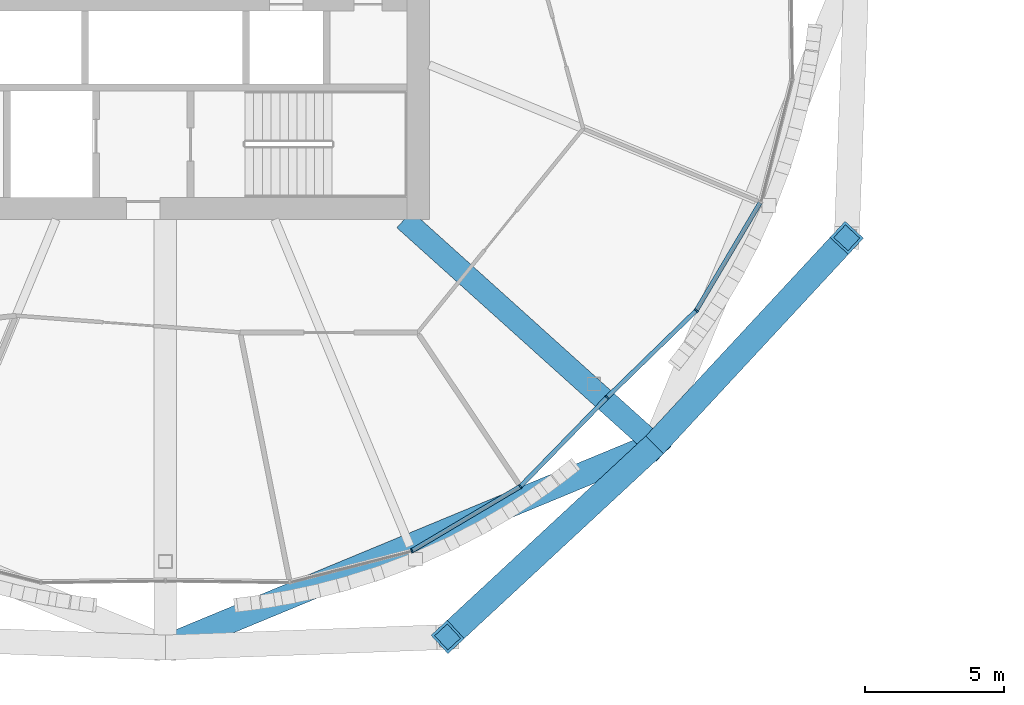
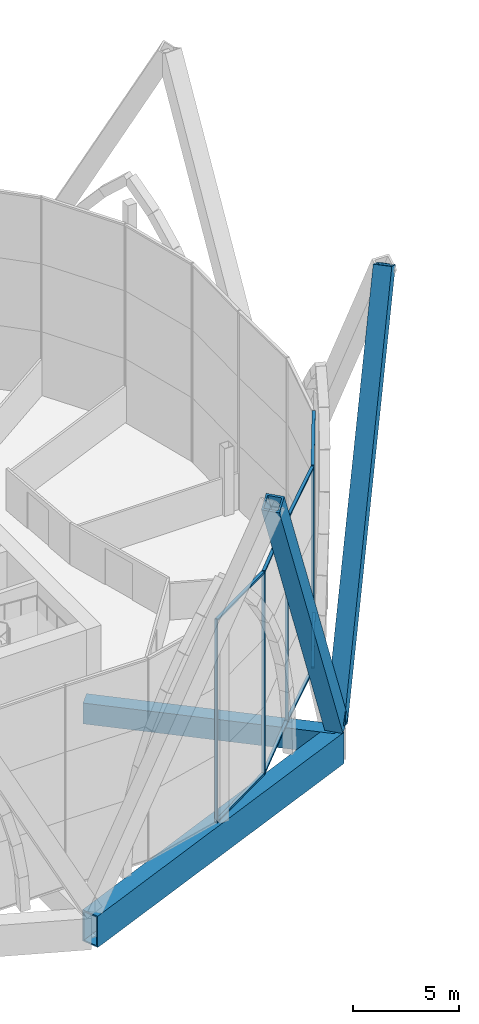
# One storey, part 7 of 37: 14 members, 2 beams, 2 elements without a shape of their own.
"""IFC4 building model written with IfcOpenShell, lengths in metres."""

from ifc_helpers import new_model, si_unit, direction, frame, origin, origin_2d, place, context, subcontext, project, spatial, rectangle, hollow_rectangle, extrude, material, material_profile, profile_set, type_object, element, aggregate, save


model = new_model("IFC4")

# Units and contexts
model_context = context("Model", 3, precision=1e-05, world=origin(), true_north=direction((0.0, 1.0)))
body_context = subcontext(model_context, "Body", "Model", "MODEL_VIEW")
ifc_project = project(units=[si_unit("LENGTHUNIT", "METRE"), si_unit("AREAUNIT", "SQUARE_METRE"), si_unit("VOLUMEUNIT", "CUBIC_METRE"), si_unit("PLANEANGLEUNIT", "RADIAN"), si_unit("MASSUNIT", "GRAM", prefix="KILO")], contexts=[model_context])

# Site, building, storey
site_placement = place(None, origin())
site = spatial("IfcSite", under=ifc_project, at=site_placement, CompositionType="ELEMENT")
building_placement = place(site_placement, origin())
building = spatial("IfcBuilding", under=site, at=building_placement, Name="Ogive Gate Towers", CompositionType="ELEMENT")
storey_placement = place(building_placement, frame((0.0, 0.0, 32.39990234375)))
storey = spatial("IfcBuildingStorey", under=building, at=storey_placement, Name="L06", CompositionType="ELEMENT", Elevation=32.39990234375)

# Members
ifc_material_1 = material(Name="Steel SM460", Category="steel")
ifc_material_profile_1 = material_profile(ifc_material_1, hollow_rectangle(XDim=0.89990234375, YDim=0.89990234375, WallThickness=0.10009765625, at=origin_2d()), Name="BX 900x900x100")
ifc_profile_set_1 = profile_set([ifc_material_profile_1], Name="Steel SM460")
member_type_1 = type_object("IfcMemberType", Name="Diagrid diagonal BX 900x900x100", PredefinedType="BRACE", material=ifc_profile_set_1)
for number, where, z_axis, x_axis, name in (
    (1, (-18.385986328125, -17.614013671875, 0.0), (-0.338942066201, -0.31444089886, 0.886704684144), (0.68011301839, -0.733107278791, 0.0), "T1/L06/SDG015"),
    (2, (-18.385986328125, -17.614013671875, 0.0), (0.31444089886, 0.338942066201, 0.886704684144), (-0.733107278791, 0.68011301839, 0.0), "T1/L06/SDG016"),
):
    element("IfcMember", number, at=place(storey_placement, frame(where, z_axis=z_axis, x_axis=x_axis)), inside=storey, type_object=member_type_1, Name=name, PredefinedType="BRACE", context=body_context, shape_type="SweptSolid", body=[
        extrude(hollow_rectangle(XDim=0.89990234375, YDim=0.89990234375, WallThickness=0.10009765625, at=origin_2d()), origin(), (0.0, 0.0, 1.0), 21.991455078125),
    ])

# Beam
ifc_material_profile_2 = material_profile(ifc_material_1, hollow_rectangle(XDim=0.89990234375, YDim=1.800048828125, WallThickness=0.080078125, at=origin_2d()), Name="BX 1800x900x80")
ifc_profile_set_2 = profile_set([ifc_material_profile_2], Name="Steel SM460")
beam_type_1 = type_object("IfcBeamType", Name="Edge girder BX 1800x900x80", PredefinedType="BEAM", material=ifc_profile_set_2)
beam_1_placement = place(storey_placement, frame((-36.0, -24.909912109375, -1.199951171875), z_axis=(0.923880736283, 0.382680526191, 0.0), x_axis=(-0.382680526191, 0.923880736283, 0.0)))
element("IfcBeam", 3, at=beam_1_placement, inside=storey, type_object=beam_type_1, Name="T1/L06/SBM018", PredefinedType="BEAM", context=body_context, shape_type="SweptSolid", body=[
    extrude(hollow_rectangle(XDim=0.89990234375, YDim=1.800048828125, WallThickness=0.080078125, at=origin_2d()), origin(), (0.0, 0.0, 1.0), 19.065185546875),
])

# Curtain wall, members
ifc_material_2 = material(Name="Pale metal aluminium", Category="aluminium")
curtain_wall_type = type_object("IfcCurtainWallType", Name="Tower unitised wall, low zone", PredefinedType="NOTDEFINED", material=ifc_material_2)
curtain_wall_1_placement = place(storey_placement, origin())
curtain_wall_1 = element("IfcCurtainWall", 4, at=curtain_wall_1_placement, inside=storey, type_object=curtain_wall_type, Name="CW1 T1 ECW07", PredefinedType="NOTDEFINED")
ifc_material_profile_3 = material_profile(ifc_material_2, rectangle(XDim=0.159912109375, YDim=0.06005859375, at=origin_2d()), Name="60 x 160 aluminium box")
ifc_profile_set_3 = profile_set([ifc_material_profile_3], Name="Pale metal aluminium")
member_type_2 = type_object("IfcMemberType", Name="Tower unitised wall, low zone mullion 60 x 160", PredefinedType="MULLION", material=ifc_profile_set_3)
member_1_placement = place(storey_placement, frame((-27.125244140625, -21.42578125, -0.2998046875), z_axis=(0.0, 0.0, 1.0), x_axis=(0.382683432365, -0.923879532511, 0.0)))
member_1 = element("IfcMember", 5, at=member_1_placement, type_object=member_type_2, Name="CW1 mullion", PredefinedType="MULLION", context=body_context, shape_type="SweptSolid", body=[
    extrude(rectangle(XDim=0.159912109375, YDim=0.06005859375, at=origin_2d()), origin(), (0.0, 0.0, 1.0), 11.699951171875),
])
member_2_placement = place(storey_placement, frame((-23.221923828125, -19.112548828125, -0.2998046875), z_axis=(0.0, 0.0, 1.0), x_axis=(0.61853182984, -0.785759744117, 0.0)))
member_2 = element("IfcMember", 6, at=member_2_placement, type_object=member_type_2, Name="CW1 mullion", PredefinedType="MULLION", context=body_context, shape_type="SweptSolid", body=[
    extrude(rectangle(XDim=0.159912109375, YDim=0.06005859375, at=origin_2d()), origin(), (0.0, 0.0, 1.0), 11.699951171875),
])
member_3_placement = place(storey_placement, frame((-20.097412109375, -15.903076171875, -0.2998046875), z_axis=(0.0, 0.0, 1.0), x_axis=(0.716496775349, -0.697590403399, 0.0)))
member_3 = element("IfcMember", 7, at=member_3_placement, type_object=member_type_2, Name="CW1 mullion", PredefinedType="MULLION", context=body_context, shape_type="SweptSolid", body=[
    extrude(rectangle(XDim=0.159912109375, YDim=0.06005859375, at=origin_2d()), origin(), (0.0, 0.0, 1.0), 11.699951171875),
])

# Curtain wall, member
curtain_wall_2_placement = place(storey_placement, origin())
curtain_wall_2 = element("IfcCurtainWall", 8, at=curtain_wall_2_placement, inside=storey, type_object=curtain_wall_type, Name="CW1 T1 ECW08", PredefinedType="NOTDEFINED")
member_4_placement = place(storey_placement, frame((-16.887451171875, -12.778076171875, -0.2998046875), z_axis=(0.0, 0.0, 1.0), x_axis=(0.785759744117, -0.61853182984, 0.0)))
member_4 = element("IfcMember", 9, at=member_4_placement, type_object=member_type_2, Name="CW1 mullion", PredefinedType="MULLION", context=body_context, shape_type="SweptSolid", body=[
    extrude(rectangle(XDim=0.159912109375, YDim=0.06005859375, at=origin_2d()), origin(), (0.0, 0.0, 1.0), 11.699951171875),
])

# Member
ifc_material_profile_4 = material_profile(ifc_material_2, rectangle(XDim=0.159912109375, YDim=0.10009765625, at=origin_2d()), Name="100 x 160 aluminium box")
ifc_profile_set_4 = profile_set([ifc_material_profile_4], Name="Pale metal aluminium")
member_type_3 = type_object("IfcMemberType", Name="Tower unitised wall, low zone transom 100 x 160", PredefinedType="USERDEFINED", material=ifc_profile_set_4)
member_5_placement = place(storey_placement, frame((-27.101806640625, -21.41162109375, 11.35009765625), z_axis=(0.860267645697, 0.509842699042, 0.0), x_axis=(-0.509842699042, 0.860267645697, 0.0)))
member_5 = element("IfcMember", 10, at=member_5_placement, type_object=member_type_3, Name="CW1 transom", ObjectType="TRANSOM", PredefinedType="USERDEFINED", context=body_context, shape_type="SweptSolid", body=[
    extrude(rectangle(XDim=0.159912109375, YDim=0.10009765625, at=origin_2d()), origin(), (0.0, 0.0, 1.0), 4.482666015625),
])

member_6_placement = place(storey_placement, frame((-27.101806640625, -21.41162109375, -0.25), z_axis=(0.860267645697, 0.509842699042, 0.0), x_axis=(-0.509842699042, 0.860267645697, 0.0)))
member_6 = element("IfcMember", 11, at=member_6_placement, type_object=member_type_3, Name="CW1 transom", ObjectType="TRANSOM", PredefinedType="USERDEFINED", context=body_context, shape_type="SweptSolid", body=[
    extrude(rectangle(XDim=0.159912109375, YDim=0.10009765625, at=origin_2d()), origin(), (0.0, 0.0, 1.0), 4.482666015625),
])

member_7_placement = place(storey_placement, frame((-23.202880859375, -19.0927734375, 11.35009765625), z_axis=(0.697574167313, 0.716512582651, 0.0), x_axis=(-0.716512582651, 0.697574167313, 0.0)))
member_7 = element("IfcMember", 12, at=member_7_placement, type_object=member_type_3, Name="CW1 transom", ObjectType="TRANSOM", PredefinedType="USERDEFINED", context=body_context, shape_type="SweptSolid", body=[
    extrude(rectangle(XDim=0.159912109375, YDim=0.10009765625, at=origin_2d()), origin(), (0.0, 0.0, 1.0), 4.421630859375),
])

member_8_placement = place(storey_placement, frame((-23.202880859375, -19.0927734375, -0.25), z_axis=(0.697574167313, 0.716512582651, 0.0), x_axis=(-0.716512582651, 0.697574167313, 0.0)))
member_8 = element("IfcMember", 13, at=member_8_placement, type_object=member_type_3, Name="CW1 transom", ObjectType="TRANSOM", PredefinedType="USERDEFINED", context=body_context, shape_type="SweptSolid", body=[
    extrude(rectangle(XDim=0.159912109375, YDim=0.10009765625, at=origin_2d()), origin(), (0.0, 0.0, 1.0), 4.421630859375),
])

aggregate(curtain_wall_1, [member_1, member_2, member_5, member_6, member_3, member_7, member_8])

member_9_placement = place(storey_placement, frame((-20.075439453125, -15.881591796875, 11.35009765625), z_axis=(0.716512582651, 0.697574167313, 0.0), x_axis=(-0.697574167313, 0.716512582651, 0.0)))
member_9 = element("IfcMember", 14, at=member_9_placement, type_object=member_type_3, Name="CW1 transom", ObjectType="TRANSOM", PredefinedType="USERDEFINED", context=body_context, shape_type="SweptSolid", body=[
    extrude(rectangle(XDim=0.159912109375, YDim=0.10009765625, at=origin_2d()), origin(), (0.0, 0.0, 1.0), 4.421630859375),
])

member_10_placement = place(storey_placement, frame((-20.075439453125, -15.881591796875, -0.25), z_axis=(0.716512582651, 0.697574167313, 0.0), x_axis=(-0.697574167313, 0.716512582651, 0.0)))
member_10 = element("IfcMember", 15, at=member_10_placement, type_object=member_type_3, Name="CW1 transom", ObjectType="TRANSOM", PredefinedType="USERDEFINED", context=body_context, shape_type="SweptSolid", body=[
    extrude(rectangle(XDim=0.159912109375, YDim=0.10009765625, at=origin_2d()), origin(), (0.0, 0.0, 1.0), 4.421630859375),
])

member_11_placement = place(storey_placement, frame((-16.873779296875, -12.75439453125, 11.35009765625), z_axis=(0.509842699042, 0.860267645697, 0.0), x_axis=(-0.860267645697, 0.509842699042, 0.0)))
member_11 = element("IfcMember", 16, at=member_11_placement, type_object=member_type_3, Name="CW1 transom", ObjectType="TRANSOM", PredefinedType="USERDEFINED", context=body_context, shape_type="SweptSolid", body=[
    extrude(rectangle(XDim=0.159912109375, YDim=0.10009765625, at=origin_2d()), origin(), (0.0, 0.0, 1.0), 4.482666015625),
])

member_12_placement = place(storey_placement, frame((-16.873779296875, -12.75439453125, -0.25), z_axis=(0.509842699042, 0.860267645697, 0.0), x_axis=(-0.860267645697, 0.509842699042, 0.0)))
member_12 = element("IfcMember", 17, at=member_12_placement, type_object=member_type_3, Name="CW1 transom", ObjectType="TRANSOM", PredefinedType="USERDEFINED", context=body_context, shape_type="SweptSolid", body=[
    extrude(rectangle(XDim=0.159912109375, YDim=0.10009765625, at=origin_2d()), origin(), (0.0, 0.0, 1.0), 4.482666015625),
])

aggregate(curtain_wall_2, [member_4, member_9, member_10, member_11, member_12])

# Beam
ifc_material_profile_5 = material_profile(ifc_material_1, hollow_rectangle(XDim=0.800048828125, YDim=1.199951171875, WallThickness=0.050048828125, at=origin_2d()), Name="BX 1200x800x50")
ifc_profile_set_5 = profile_set([ifc_material_profile_5], Name="Steel SM460")
beam_type_2 = type_object("IfcBeamType", Name="Transfer radial beam BX 1200x800x50", PredefinedType="BEAM", material=ifc_profile_set_5)
beam_2_placement = place(storey_placement, frame((-27.39990234375, -9.5, -0.89990234375), z_axis=(0.743233084761, -0.669032571491, 0.0), x_axis=(0.669032571491, 0.743233084761, 0.0)))
element("IfcBeam", 18, at=beam_2_placement, inside=storey, type_object=beam_type_2, Name="T1/L06/SBM005", PredefinedType="BEAM", context=body_context, shape_type="SweptSolid", body=[
    extrude(hollow_rectangle(XDim=0.800048828125, YDim=1.199951171875, WallThickness=0.050048828125, at=origin_2d()), origin(), (0.0, 0.0, 1.0), 12.1279296875),
])

save(model, "model.ifc")
